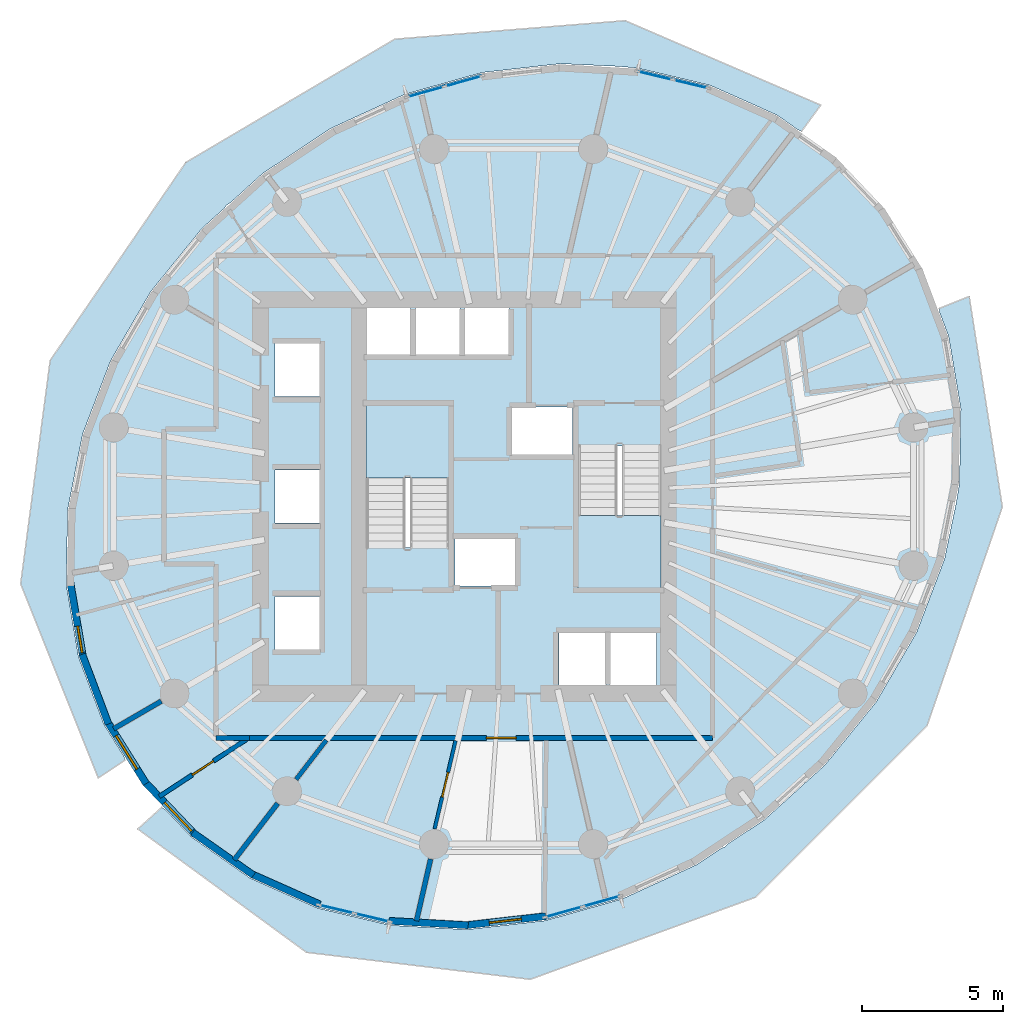
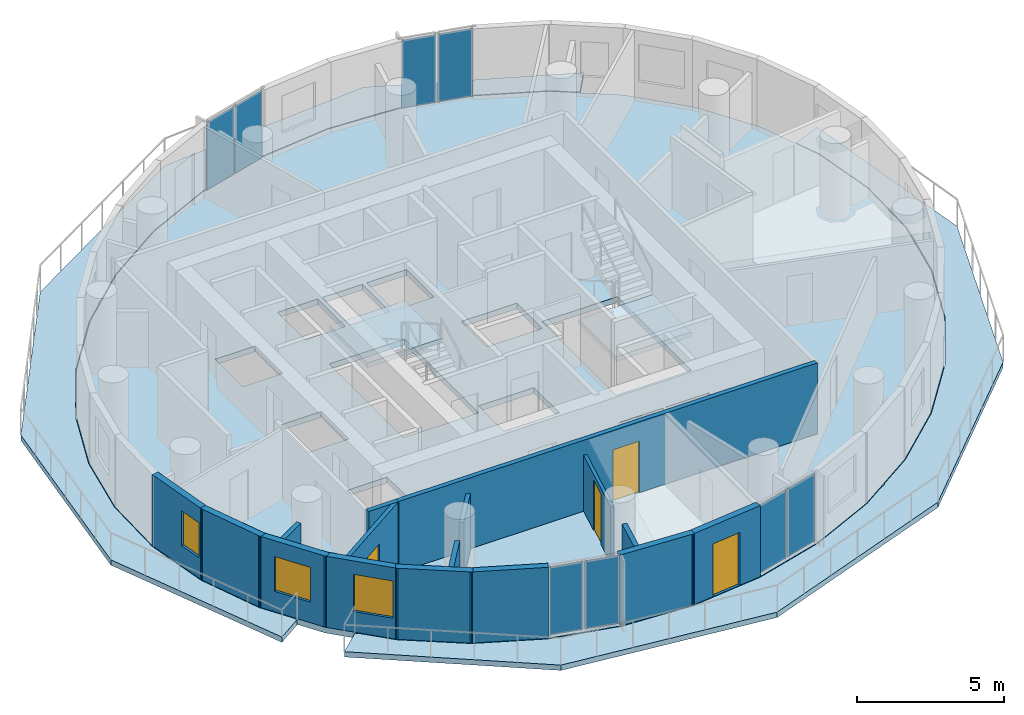
# One storey, part 4 of 13: 16 walls, 8 plates, 5 slabs, 4 doors, 3 windows, 7 openings, 6 elements without a shape of their own.
"""IFC4 building model written with IfcOpenShell, lengths in metres."""

from ifc_helpers import new_model, si_unit, direction, frame, frame_2d, origin, origin_2d, place, context, subcontext, project, spatial, polyline, rectangle, outline, extrude, material, layer, layer_set, type_object, element, fill, aggregate, save


model = new_model("IFC4")

# Units and contexts
model_context = context("Model", 3, precision=1e-05, world=origin(), true_north=direction((0.0, 1.0)))
body_context = subcontext(model_context, "Body", "Model", "MODEL_VIEW")
ifc_project = project(units=[si_unit("LENGTHUNIT", "METRE"), si_unit("AREAUNIT", "SQUARE_METRE"), si_unit("VOLUMEUNIT", "CUBIC_METRE"), si_unit("PLANEANGLEUNIT", "RADIAN"), si_unit("MASSUNIT", "GRAM", prefix="KILO")], contexts=[model_context])

# Site, building, storey
site_placement = place(None, origin())
site = spatial("IfcSite", under=ifc_project, at=site_placement, CompositionType="ELEMENT")
building_placement = place(site_placement, origin())
building = spatial("IfcBuilding", under=site, at=building_placement, Name="Veldorim Arch Residences", CompositionType="ELEMENT")
storey_placement = place(building_placement, frame((0.0, 0.0, 152.159912109375)))
storey = spatial("IfcBuildingStorey", under=building, at=storey_placement, Name="L45", CompositionType="ELEMENT", Elevation=152.159912109375)

# Slabs
ifc_material_1 = material(Name="Concrete C40/50", Category="concrete")
ifc_layer_1 = layer(ifc_material_1, 0.219970703125, Name="Planted Crescent Cantilever Balcony Slab 220")
ifc_layer_set_1 = layer_set([ifc_layer_1], Name="Concrete C40/50")
slab_type_1 = type_object("IfcSlabType", Name="Planted Crescent Cantilever Balcony Slab 220", PredefinedType="FLOOR", material=ifc_layer_set_1)
slab_1_placement = place(storey_placement, frame((0.0, 0.0, -0.219970703125)))
element("IfcSlab", 1, at=slab_1_placement, inside=storey, type_object=slab_type_1, Name="L45 planted crescent balcony slab A", PredefinedType="FLOOR", context=body_context, shape_type="SweptSolid", body=[
    extrude(outline(polyline([(42.118408203125, 37.03759765625), (41.368408203125, 37.564208984375), (38.986083984375, 38.62451171875), (36.3916015625, 39.240478515625), (35.6923828125, 39.2998046875), (33.663818359375, 39.393310546875), (30.885986328125, 39.078369140625), (28.1416015625, 38.305419921875), (25.514892578125, 37.097900390625), (23.085205078125, 35.492919921875), (21.927001953125, 34.444580078125), (21.797119140625, 34.365478515625), (21.720703125, 34.2578125), (20.92626953125, 33.53857421875), (19.103515625, 31.294677734375), (17.672607421875, 28.8291015625), (16.676513671875, 26.216552734375), (16.146240234375, 23.53662109375), (16.09765625, 20.870361328125), (16.5322265625, 18.299072265625), (17.43701171875, 15.90087890625), (18.141845703125, 14.775390625), (18.187744140625, 14.6328125), (17.22998046875, 13.996337890625), (14.472412109375, 20.894775390625), (15.5224609375, 28.845703125), (20.346923828125, 35.884521484375), (27.773193359375, 40.266357421875), (35.96728515625, 40.92431640625), (42.922607421875, 37.92138671875), (42.242431640625, 36.993896484375), (42.118408203125, 37.03759765625)])), origin(), (0.0, 0.0, 1.0), 0.219970703125),
])
slab_2_placement = place(storey_placement, frame((0.0, 0.0, -0.219970703125)))
element("IfcSlab", 2, at=slab_2_placement, inside=storey, type_object=slab_type_1, Name="L45 planted crescent balcony slab B", PredefinedType="FLOOR", context=body_context, shape_type="SweptSolid", body=[
    extrude(outline(polyline([(19.618896484375, 12.871337890625), (20.53369140625, 11.90869140625), (22.631591796875, 10.435791015625), (25.013916015625, 9.37548828125), (27.6083984375, 8.759521484375), (30.336181640625, 8.606689453125), (33.114013671875, 8.921630859375), (35.8583984375, 9.694580078125), (38.485107421875, 10.902099609375), (39.379150390625, 11.49267578125), (39.50244140625, 11.539794921875), (39.611328125, 11.64599609375), (40.914794921875, 12.507080078125), (43.07373046875, 14.46142578125), (44.896484375, 16.705322265625), (46.327392578125, 19.1708984375), (47.323486328125, 21.783447265625), (47.737548828125, 23.771484375), (47.853759765625, 24.46337890625), (47.90234375, 27.129638671875), (47.4677734375, 29.700927734375), (47.144287109375, 30.55810546875), (47.1328125, 30.689208984375), (48.2001953125, 31.1171875), (49.37939453125, 23.6337890625), (46.7041015625, 15.860595703125), (40.613037109375, 9.757568359375), (32.595703125, 6.835205078125), (24.63330078125, 7.79541015625), (18.637451171875, 12.181640625), (19.491943359375, 12.951416015625), (19.618896484375, 12.871337890625)])), origin(), (0.0, 0.0, 1.0), 0.219970703125),
])

# Stair, slab
ifc_material_2 = material(Name="Concrete C40/50", Category="concrete")
stair_type = type_object("IfcStairType", Name="Reinforced Concrete Dogleg Exit Staircase", PredefinedType="HALF_TURN_STAIR", material=ifc_material_2)
stair_1_placement = place(storey_placement, origin())
stair_1 = element("IfcStair", 3, at=stair_1_placement, inside=storey, type_object=stair_type, Name="L45 Exit Staircase ST-1", PredefinedType="HALF_TURN_STAIR")
ifc_material_3 = material(Name="Concrete C40/50", Category="concrete")
ifc_layer_2 = layer(ifc_material_3, 0.199951171875, Name="Reinforced Concrete Stair Landing 200")
ifc_layer_set_2 = layer_set([ifc_layer_2], Name="Concrete C40/50")
slab_type_2 = type_object("IfcSlabType", Name="Reinforced Concrete Stair Landing 200", PredefinedType="LANDING", material=ifc_layer_set_2)
slab_3_placement = place(storey_placement, frame((0.0, 0.0, 1.400146484375)))
slab_3 = element("IfcSlab", 4, at=slab_3_placement, type_object=slab_type_2, Name="ST-1 landing 1", PredefinedType="LANDING", context=body_context, shape_type="SweptSolid", body=[
    extrude(outline(polyline([(29.7099609375, 24.669921875), (29.7099609375, 27.25), (26.75, 27.25), (26.75, 24.669921875), (29.7099609375, 24.669921875)])), origin(), (0.0, 0.0, 1.0), 0.199951171875),
])
aggregate(stair_1, [slab_3])

stair_2_placement = place(storey_placement, origin())
stair_2 = element("IfcStair", 5, at=stair_2_placement, inside=storey, type_object=stair_type, Name="L45 Exit Staircase ST-2", PredefinedType="HALF_TURN_STAIR")
slab_4_placement = place(storey_placement, frame((0.0, 0.0, 1.400146484375)))
slab_4 = element("IfcSlab", 6, at=slab_4_placement, type_object=slab_type_2, Name="ST-2 landing 1", PredefinedType="LANDING", context=body_context, shape_type="SweptSolid", body=[
    extrude(outline(polyline([(34.2900390625, 23.330078125), (34.2900390625, 20.75), (37.25, 20.75), (37.25, 23.330078125), (34.2900390625, 23.330078125)])), origin(), (0.0, 0.0, 1.0), 0.199951171875),
])
aggregate(stair_2, [slab_4])

# Slab
ifc_material_4 = material(Name="Concrete C40/50", Category="concrete")
ifc_layer_3 = layer(ifc_material_4, 0.239990234375, Name="Typical Residential Floor Slab 240")
ifc_layer_set_3 = layer_set([ifc_layer_3], Name="Concrete C40/50")
slab_type_3 = type_object("IfcSlabType", Name="Typical Residential Floor Slab 240", PredefinedType="FLOOR", material=ifc_layer_set_3)
slab_5_placement = place(storey_placement, frame((0.0, 0.0, -0.239990234375)))
element("IfcSlab", 7, at=slab_5_placement, inside=storey, type_object=slab_type_3, Name="L45 tower structural floor slab", PredefinedType="FLOOR", context=body_context, shape_type="SweptSolid", body=[
    extrude(outline(polyline([(45.195556640625, 34.235595703125), (43.44970703125, 36.072265625), (41.35595703125, 37.542236328125), (38.97802734375, 38.600830078125), (36.387939453125, 39.215576171875), (33.66455078125, 39.3681640625), (30.890625, 39.0537109375), (28.150390625, 38.281982421875), (25.527099609375, 37.076171875), (23.1005859375, 35.47314453125), (20.9443359375, 33.521484375), (19.1240234375, 31.280517578125), (17.695068359375, 28.818115234375), (16.70068359375, 26.209716796875), (16.171142578125, 23.533935546875), (16.12255859375, 20.872314453125), (16.556396484375, 18.3056640625), (17.45947265625, 15.912109375), (18.804443359375, 13.764404296875), (20.55029296875, 11.927734375), (22.64404296875, 10.457763671875), (25.02197265625, 9.399169921875), (27.612060546875, 8.784423828125), (30.33544921875, 8.6318359375), (33.109375, 8.9462890625), (35.849609375, 9.718017578125), (38.472900390625, 10.923828125), (40.8994140625, 12.52685546875), (43.0556640625, 14.478515625), (44.8759765625, 16.719482421875), (46.304931640625, 19.181884765625), (47.29931640625, 21.790283203125), (47.828857421875, 24.466064453125), (47.87744140625, 27.127685546875), (47.443603515625, 29.6943359375), (46.54052734375, 32.087890625), (45.195556640625, 34.235595703125)]), holes=[polyline([(23.510009765625, 18.56005859375), (23.510009765625, 20.43994140625), (25.090087890625, 20.43994140625), (25.090087890625, 18.56005859375), (23.510009765625, 18.56005859375)]), polyline([(23.510009765625, 24.93994140625), (25.090087890625, 24.93994140625), (25.090087890625, 23.06005859375), (23.510009765625, 23.06005859375), (23.510009765625, 24.93994140625)]), polyline([(26.75, 27.25), (29.7099609375, 27.25), (29.7099609375, 22.195068359375), (26.75, 22.195068359375), (26.75, 27.25)]), polyline([(23.510009765625, 27.56005859375), (23.510009765625, 29.43994140625), (25.090087890625, 29.43994140625), (25.090087890625, 27.56005859375), (23.510009765625, 27.56005859375)]), polyline([(26.760009765625, 30.7900390625), (28.340087890625, 30.7900390625), (28.340087890625, 28.909912109375), (26.760009765625, 28.909912109375), (26.760009765625, 30.7900390625)]), polyline([(28.510009765625, 30.7900390625), (30.090087890625, 30.7900390625), (30.090087890625, 28.909912109375), (28.510009765625, 28.909912109375), (28.510009765625, 30.7900390625)]), polyline([(33.610107421875, 17.2099609375), (33.610107421875, 19.2900390625), (35.2900390625, 19.2900390625), (35.2900390625, 17.2099609375), (33.610107421875, 17.2099609375)]), polyline([(35.409912109375, 19.2900390625), (37.090087890625, 19.2900390625), (37.090087890625, 17.2099609375), (35.409912109375, 17.2099609375), (35.409912109375, 19.2900390625)]), polyline([(29.909912109375, 22.544921875), (32.090087890625, 22.544921875), (32.090087890625, 20.81494140625), (29.909912109375, 20.81494140625), (29.909912109375, 22.544921875)]), polyline([(34.2900390625, 20.75), (34.2900390625, 25.804931640625), (37.25, 25.804931640625), (37.25, 20.75), (34.2900390625, 20.75)]), polyline([(31.909912109375, 27.18505859375), (34.090087890625, 27.18505859375), (34.090087890625, 25.455078125), (31.909912109375, 25.455078125), (31.909912109375, 27.18505859375)]), polyline([(30.260009765625, 30.7900390625), (31.840087890625, 30.7900390625), (31.840087890625, 28.909912109375), (30.260009765625, 28.909912109375), (30.260009765625, 30.7900390625)])]), origin(), (0.0, 0.0, 1.0), 0.239990234375),
])

# Curtain wall, plates
ifc_material_5 = material(Name="Aluminium", Category="aluminium")
curtain_wall_type = type_object("IfcCurtainWallType", Name="Zone 3 High-Wind Unitised Curtain Wall", PredefinedType="NOTDEFINED", material=ifc_material_5)
curtain_wall_1_placement = place(storey_placement, origin())
curtain_wall_1 = element("IfcCurtainWall", 8, at=curtain_wall_1_placement, inside=storey, type_object=curtain_wall_type, Name="L45 unitised curtain wall bay 04", PredefinedType="NOTDEFINED")
ifc_material_6 = material(Name="Laminated Low-E Glass", Category="glass")
ifc_layer_4 = layer(ifc_material_6, 0.028076171875, Name="Zone 3 High-Wind Unitised Curtain Wall Glazing Panel 28")
ifc_layer_set_4 = layer_set([ifc_layer_4], Name="Laminated Low-E Glass")
plate_type = type_object("IfcPlateType", Name="Zone 3 High-Wind Unitised Curtain Wall Glazing Panel 28", PredefinedType="CURTAIN_PANEL", material=ifc_layer_set_4)
plate_1_placement = place(storey_placement, frame((37.03173828125, 38.97021484375, 0.06982421875), z_axis=(0.0, 0.0, 1.0), x_axis=(0.972963992002, -0.230956858022, 0.0)))
plate_1 = element("IfcPlate", 9, at=plate_1_placement, type_object=plate_type, Name="CW-Z3 panel 1.1", PredefinedType="CURTAIN_PANEL", context=body_context, shape_type="SweptSolid", body=[
    extrude(rectangle(XDim=1.22607421875, YDim=0.028076171875, at=origin_2d()), origin(), (0.0, 0.0, 1.0), 2.820068359375),
])
plate_2_placement = place(storey_placement, frame((38.292724609375, 38.6708984375, 0.06982421875), z_axis=(0.0, 0.0, 1.0), x_axis=(0.972963992002, -0.230956858022, 0.0)))
plate_2 = element("IfcPlate", 10, at=plate_2_placement, type_object=plate_type, Name="CW-Z3 panel 2.1", PredefinedType="CURTAIN_PANEL", context=body_context, shape_type="SweptSolid", body=[
    extrude(rectangle(XDim=1.22607421875, YDim=0.028076171875, at=origin_2d()), origin(), (0.0, 0.0, 1.0), 2.820068359375),
])
aggregate(curtain_wall_1, [plate_1, plate_2])

curtain_wall_2_placement = place(storey_placement, origin())
curtain_wall_2 = element("IfcCurtainWall", 11, at=curtain_wall_2_placement, inside=storey, type_object=curtain_wall_type, Name="L45 unitised curtain wall bay 07", PredefinedType="NOTDEFINED")
plate_3_placement = place(storey_placement, frame((28.876708984375, 38.39306640625, 0.06982421875), z_axis=(0.0, 0.0, 1.0), x_axis=(0.962551028545, 0.271100567037, 0.0)))
plate_3 = element("IfcPlate", 12, at=plate_3_placement, type_object=plate_type, Name="CW-Z3 panel 1.1", PredefinedType="CURTAIN_PANEL", context=body_context, shape_type="SweptSolid", body=[
    extrude(rectangle(XDim=1.318359375, YDim=0.028076171875, at=origin_2d()), origin(), (0.0, 0.0, 1.0), 2.820068359375),
])
plate_4_placement = place(storey_placement, frame((30.213134765625, 38.769287109375, 0.06982421875), z_axis=(0.0, 0.0, 1.0), x_axis=(0.962551028545, 0.271100567037, 0.0)))
plate_4 = element("IfcPlate", 13, at=plate_4_placement, type_object=plate_type, Name="CW-Z3 panel 2.1", PredefinedType="CURTAIN_PANEL", context=body_context, shape_type="SweptSolid", body=[
    extrude(rectangle(XDim=1.318359375, YDim=0.028076171875, at=origin_2d()), origin(), (0.0, 0.0, 1.0), 2.820068359375),
])
aggregate(curtain_wall_2, [plate_3, plate_4])

curtain_wall_3_placement = place(storey_placement, origin())
curtain_wall_3 = element("IfcCurtainWall", 14, at=curtain_wall_3_placement, inside=storey, type_object=curtain_wall_type, Name="L45 unitised curtain wall bay 22", PredefinedType="NOTDEFINED")
plate_5_placement = place(storey_placement, frame((26.96826171875, 9.02978515625, 0.06982421875), z_axis=(0.0, 0.0, 1.0), x_axis=(-0.972963992002, 0.230956858022, 0.0)))
plate_5 = element("IfcPlate", 15, at=plate_5_placement, type_object=plate_type, Name="CW-Z3 panel 1.1", PredefinedType="CURTAIN_PANEL", context=body_context, shape_type="SweptSolid", body=[
    extrude(rectangle(XDim=1.22607421875, YDim=0.028076171875, at=origin_2d()), origin(), (0.0, 0.0, 1.0), 2.820068359375),
])
plate_6_placement = place(storey_placement, frame((25.707275390625, 9.3291015625, 0.06982421875), z_axis=(0.0, 0.0, 1.0), x_axis=(-0.972963992002, 0.230956858022, 0.0)))
plate_6 = element("IfcPlate", 16, at=plate_6_placement, type_object=plate_type, Name="CW-Z3 panel 2.1", PredefinedType="CURTAIN_PANEL", context=body_context, shape_type="SweptSolid", body=[
    extrude(rectangle(XDim=1.22607421875, YDim=0.028076171875, at=origin_2d()), origin(), (0.0, 0.0, 1.0), 2.820068359375),
])
aggregate(curtain_wall_3, [plate_5, plate_6])

curtain_wall_4_placement = place(storey_placement, origin())
curtain_wall_4 = element("IfcCurtainWall", 17, at=curtain_wall_4_placement, inside=storey, type_object=curtain_wall_type, Name="L45 unitised curtain wall bay 25", PredefinedType="NOTDEFINED")
plate_7_placement = place(storey_placement, frame((35.123291015625, 9.60693359375, 0.06982421875), z_axis=(0.0, 0.0, 1.0), x_axis=(-0.962551028545, -0.271100567037, 0.0)))
plate_7 = element("IfcPlate", 18, at=plate_7_placement, type_object=plate_type, Name="CW-Z3 panel 1.1", PredefinedType="CURTAIN_PANEL", context=body_context, shape_type="SweptSolid", body=[
    extrude(rectangle(XDim=1.318359375, YDim=0.028076171875, at=origin_2d()), origin(), (0.0, 0.0, 1.0), 2.820068359375),
])
plate_8_placement = place(storey_placement, frame((33.786865234375, 9.230712890625, 0.06982421875), z_axis=(0.0, 0.0, 1.0), x_axis=(-0.962551028545, -0.271100567037, 0.0)))
plate_8 = element("IfcPlate", 19, at=plate_8_placement, type_object=plate_type, Name="CW-Z3 panel 2.1", PredefinedType="CURTAIN_PANEL", context=body_context, shape_type="SweptSolid", body=[
    extrude(rectangle(XDim=1.318359375, YDim=0.028076171875, at=origin_2d()), origin(), (0.0, 0.0, 1.0), 2.820068359375),
])
aggregate(curtain_wall_4, [plate_7, plate_8])

# Wall, opening, door
ifc_material_7 = material(Name="Acoustic Gypsum Board", Category="gypsum")
ifc_layer_5 = layer(ifc_material_7, 0.125, Name="Acoustic Stud Room Partition Wall 125")
ifc_layer_set_5 = layer_set([ifc_layer_5], Name="Acoustic Gypsum Board")
wall_type_1 = type_object("IfcWallType", Name="Acoustic Stud Room Partition Wall 125", PredefinedType="PARTITIONING", material=ifc_layer_set_5)
wall_1_placement = place(storey_placement, frame((29.195556640625, 12.18701171875, 0.0), z_axis=(0.0, 0.0, 1.0), x_axis=(0.230968453673, 0.972961239417, 0.0)))
wall_1 = element("IfcWall", 20, at=wall_1_placement, inside=storey, type_object=wall_type_1, Name="L45 interior wall WL-RES-L45-012", PredefinedType="PARTITIONING", context=body_context, shape_type="SweptSolid", body=[
    extrude(rectangle(XDim=3.222900390625, YDim=0.125, at=frame_2d((1.611328125, 0.0))), origin(), (0.0, 0.0, 1.0), 2.3359375),
])
opening_1_placement = place(wall_1_placement, frame((1.161376953125, 0.0, 0.0)))
opening_1 = element("IfcOpeningElement", 21, at=opening_1_placement, cuts=wall_1, Name="Opening DR-INT", PredefinedType="OPENING", context=body_context, shape_type="SweptSolid", body=[
    extrude(rectangle(XDim=0.89990234375, YDim=2.10009765625, at=frame_2d((0.449951171875, 1.050048828125))), frame((0.0, 0.072509765625, 0.0), z_axis=(0.0, -1.0, 0.0), x_axis=(1.0, 0.0, 0.0)), (0.0, 0.0, 1.0), 0.14501953125),
])
ifc_material_8 = material(Name="Engineered Timber", Category="wood")
door_type_1 = type_object("IfcDoorType", Name="Apartment Internal Room Timber Door 900x2100", OperationType="SINGLE_SWING_LEFT", PredefinedType="DOOR", material=ifc_material_8)
door_1_placement = place(opening_1_placement, origin())
door_1 = element("IfcDoor", 22, at=door_1_placement, inside=storey, type_object=door_type_1, Name="L45 interior door DR-RES-L45-003", OperationType="SINGLE_SWING_LEFT", OverallHeight=2.10009765625, OverallWidth=0.89990234375, PredefinedType="DOOR", context=body_context, shape_type="SweptSolid", body=[
    extrude(rectangle(XDim=0.89990234375, YDim=2.10009765625, at=frame_2d((0.449951171875, 1.050048828125))), frame((0.0, 0.02490234375, 0.0), z_axis=(0.0, -1.0, 0.0), x_axis=(1.0, 0.0, 0.0)), (0.0, 0.0, 1.0), 0.050048828125),
])
fill(opening_1, door_1)

# Walls
ifc_material_9 = material(Name="Lightweight Masonry Block & Gypsum", Category="masonry")
ifc_layer_6 = layer(ifc_material_9, 0.179931640625, Name="Compartment & Corridor Fire-Rated Party Wall 180")
ifc_layer_set_6 = layer_set([ifc_layer_6], Name="Lightweight Masonry Block & Gypsum")
wall_type_2 = type_object("IfcWallType", Name="Compartment & Corridor Fire-Rated Party Wall 180", PredefinedType="PARTITIONING", material=ifc_layer_set_6)
wall_2_placement = place(storey_placement, frame((19.472412109375, 16.72607421875, 0.0), z_axis=(0.0, 0.0, 1.0), x_axis=(-0.864794183852, -0.502126497584, 0.0)))
element("IfcWall", 23, at=wall_2_placement, inside=storey, type_object=wall_type_2, Name="L45 interior wall WL-PIER-L45-10", PredefinedType="PARTITIONING", context=body_context, shape_type="SweptSolid", body=[
    extrude(rectangle(XDim=1.958984375, YDim=0.179931640625, at=frame_2d((0.9794921875, 0.0))), origin(), (0.0, 0.0, 1.0), 2.3359375),
])
wall_3_placement = place(storey_placement, frame((23.612060546875, 13.091552734375, 0.0), z_axis=(0.0, 0.0, 1.0), x_axis=(-0.609529171404, -0.79276364019, 0.0)))
element("IfcWall", 24, at=wall_3_placement, inside=storey, type_object=wall_type_2, Name="L45 interior wall WL-PIER-L45-11", PredefinedType="PARTITIONING", context=body_context, shape_type="SweptSolid", body=[
    extrude(rectangle(XDim=2.5341796875, YDim=0.179931640625, at=frame_2d((1.26708984375, 0.0))), origin(), (0.0, 0.0, 1.0), 2.3359375),
])
wall_4_placement = place(storey_placement, frame((29.049560546875, 11.11083984375, 0.0), z_axis=(0.0, 0.0, 1.0), x_axis=(-0.223104026265, -0.974794641688, 0.0)))
element("IfcWall", 25, at=wall_4_placement, inside=storey, type_object=wall_type_2, Name="L45 interior wall WL-PIER-L45-12", PredefinedType="PARTITIONING", context=body_context, shape_type="SweptSolid", body=[
    extrude(rectangle(XDim=2.25537109375, YDim=0.179931640625, at=frame_2d((1.127685546875, 0.0))), origin(), (0.0, 0.0, 1.0), 2.3359375),
])

# Wall, opening, door
wall_5_placement = place(storey_placement, frame((39.080078125, 15.419921875, 0.0), z_axis=(0.0, 0.0, 1.0), x_axis=(-1.0, 0.0, 0.0)))
wall_5 = element("IfcWall", 26, at=wall_5_placement, inside=storey, type_object=wall_type_2, Name="L45 interior wall WL-RES-L45-001", PredefinedType="PARTITIONING", context=body_context, shape_type="SweptSolid", body=[
    extrude(rectangle(XDim=16.531005859375, YDim=0.179931640625, at=frame_2d((8.265625, 0.0))), origin(), (0.0, 0.0, 1.0), 2.955078125),
])
opening_2_placement = place(wall_5_placement, frame((6.993896484375, 0.0, 0.0)))
opening_2 = element("IfcOpeningElement", 27, at=opening_2_placement, cuts=wall_5, Name="Opening DR-FLT", PredefinedType="OPENING", context=body_context, shape_type="SweptSolid", body=[
    extrude(rectangle(XDim=1.050048828125, YDim=2.14990234375, at=frame_2d((0.52490234375, 1.074951171875))), frame((0.0, 0.099853515625, 0.0), z_axis=(0.0, -1.0, 0.0), x_axis=(1.0, 0.0, 0.0)), (0.0, 0.0, 1.0), 0.199951171875),
])
ifc_material_10 = material(Name="Fire-Rated Timber", Category="wood")
door_type_2 = type_object("IfcDoorType", Name="Apartment Entrance Solid-Core Fire Door 1050x2150", OperationType="SINGLE_SWING_LEFT", PredefinedType="DOOR", material=ifc_material_10)
door_2_placement = place(opening_2_placement, origin())
door_2 = element("IfcDoor", 28, at=door_2_placement, inside=storey, type_object=door_type_2, Name="L45 interior door DR-RES-L45-001", OperationType="SINGLE_SWING_LEFT", OverallHeight=2.14990234375, OverallWidth=1.050048828125, PredefinedType="DOOR", context=body_context, shape_type="SweptSolid", body=[
    extrude(rectangle(XDim=1.050048828125, YDim=2.14990234375, at=frame_2d((0.52490234375, 1.074951171875))), frame((0.0, 0.02490234375, 0.0), z_axis=(0.0, -1.0, 0.0), x_axis=(1.0, 0.0, 0.0)), (0.0, 0.0, 1.0), 0.050048828125),
])
fill(opening_2, door_2)

# Wall
wall_6_placement = place(storey_placement, frame((22.605712890625, 15.419921875, 0.0), z_axis=(0.0, 0.0, 1.0), x_axis=(-1.0, 0.0, 0.0)))
element("IfcWall", 29, at=wall_6_placement, inside=storey, type_object=wall_type_2, Name="L45 interior wall WL-RES-L45-006", PredefinedType="PARTITIONING", context=body_context, shape_type="SweptSolid", body=[
    extrude(rectangle(XDim=1.185791015625, YDim=0.179931640625, at=frame_2d((0.5927734375, 0.0))), origin(), (0.0, 0.0, 1.0), 2.955078125),
])

# Wall, opening, window
ifc_material_11 = material(Name="Precast concrete C40/50", Category="concrete")
ifc_layer_7 = layer(ifc_material_11, 0.25, Name="Tower Terracotta Spandrel & Pier Wall 250")
ifc_layer_set_7 = layer_set([ifc_layer_7], Name="Precast concrete C40/50")
wall_type_3 = type_object("IfcWallType", Name="Tower Terracotta Spandrel & Pier Wall 250", PredefinedType="SOLIDWALL", material=ifc_layer_set_7)
wall_7_placement = place(storey_placement, frame((16.687255859375, 18.2822265625, 0.0), z_axis=(0.0, 0.0, 1.0), x_axis=(-0.166721354457, 0.9860040517, 0.0)))
wall_7 = element("IfcWall", 30, at=wall_7_placement, inside=storey, type_object=wall_type_3, Name="L45 terracotta facade wall 16", PredefinedType="SOLIDWALL", context=body_context, shape_type="SweptSolid", body=[
    extrude(rectangle(XDim=2.69287109375, YDim=0.25, at=frame_2d((1.346435546875, 0.0))), origin(), (0.0, 0.0, 1.0), 2.960205078125),
])
opening_3_placement = place(wall_7_placement, frame((0.175048828125, 0.0, 0.85009765625)))
opening_3 = element("IfcOpeningElement", 31, at=opening_3_placement, cuts=wall_7, Name="Opening WN-05", PredefinedType="OPENING", context=body_context, shape_type="SweptSolid", body=[
    extrude(rectangle(XDim=0.949951171875, YDim=1.449951171875, at=frame_2d((0.47509765625, 0.72509765625))), frame((0.0, 0.135009765625, 0.0), z_axis=(0.0, -1.0, 0.0), x_axis=(1.0, 0.0, 0.0)), (0.0, 0.0, 1.0), 0.27001953125),
])
ifc_material_12 = material(Name="Laminated Low-E Glass", Category="glass")
window_type_1 = type_object("IfcWindowType", Name="Residential Compact Casement Window 950x1450", PartitioningType="SINGLE_PANEL", PredefinedType="WINDOW", material=ifc_material_12)
window_1_placement = place(opening_3_placement, origin())
window_1 = element("IfcWindow", 32, at=window_1_placement, inside=storey, type_object=window_type_1, Name="L45 solar-control facade window 16", OverallHeight=1.449951171875, OverallWidth=0.949951171875, PartitioningType="SINGLE_PANEL", PredefinedType="WINDOW", context=body_context, shape_type="SweptSolid", body=[
    extrude(rectangle(XDim=0.949951171875, YDim=1.449951171875, at=frame_2d((0.47509765625, 0.72509765625))), frame((0.0, 0.030029296875, 0.0), z_axis=(0.0, -1.0, 0.0), x_axis=(1.0, 0.0, 0.0)), (0.0, 0.0, 1.0), 0.06005859375),
])
fill(opening_3, window_1)

# Wall
wall_8_placement = place(storey_placement, frame((17.59228515625, 15.914306640625, 0.0), z_axis=(0.0, 0.0, 1.0), x_axis=(-0.353022229402, 0.93561493444, 0.0)))
element("IfcWall", 33, at=wall_8_placement, inside=storey, type_object=wall_type_3, Name="L45 terracotta facade wall 17", PredefinedType="SOLIDWALL", context=body_context, shape_type="SweptSolid", body=[
    extrude(rectangle(XDim=2.64794921875, YDim=0.25, at=frame_2d((1.323974609375, 0.0))), origin(), (0.0, 0.0, 1.0), 2.960205078125),
])

# Wall, opening, window
wall_9_placement = place(storey_placement, frame((18.93408203125, 13.792724609375, 0.0), z_axis=(0.0, 0.0, 1.0), x_axis=(-0.530726374543, 0.847543223302, 0.0)))
wall_9 = element("IfcWall", 34, at=wall_9_placement, inside=storey, type_object=wall_type_3, Name="L45 terracotta facade wall 18", PredefinedType="SOLIDWALL", context=body_context, shape_type="SweptSolid", body=[
    extrude(rectangle(XDim=2.6240234375, YDim=0.25, at=frame_2d((1.31201171875, 0.0))), origin(), (0.0, 0.0, 1.0), 2.960205078125),
])
opening_4_placement = place(wall_9_placement, frame((0.612060546875, 0.0, 0.85009765625)))
opening_4 = element("IfcOpeningElement", 35, at=opening_4_placement, cuts=wall_9, Name="Opening WN-02", PredefinedType="OPENING", context=body_context, shape_type="SweptSolid", body=[
    extrude(rectangle(XDim=1.39990234375, YDim=1.449951171875, at=frame_2d((0.699951171875, 0.72509765625))), frame((0.0, 0.135009765625, 0.0), z_axis=(0.0, -1.0, 0.0), x_axis=(1.0, 0.0, 0.0)), (0.0, 0.0, 1.0), 0.27001953125),
])
ifc_material_13 = material(Name="Laminated Low-E Glass", Category="glass")
window_type_2 = type_object("IfcWindowType", Name="Residential Casement Window 1400x1550", PartitioningType="SINGLE_PANEL", PredefinedType="WINDOW", material=ifc_material_13)
window_2_placement = place(opening_4_placement, origin())
window_2 = element("IfcWindow", 36, at=window_2_placement, inside=storey, type_object=window_type_2, Name="L45 solar-control facade window 18", OverallHeight=1.449951171875, OverallWidth=1.39990234375, PartitioningType="SINGLE_PANEL", PredefinedType="WINDOW", context=body_context, shape_type="SweptSolid", body=[
    extrude(rectangle(XDim=1.39990234375, YDim=1.449951171875, at=frame_2d((0.699951171875, 0.72509765625))), frame((0.0, 0.030029296875, 0.0), z_axis=(0.0, -1.0, 0.0), x_axis=(1.0, 0.0, 0.0)), (0.0, 0.0, 1.0), 0.06005859375),
])
fill(opening_4, window_2)

wall_10_placement = place(storey_placement, frame((20.671875, 11.981201171875, 0.0), z_axis=(0.0, 0.0, 1.0), x_axis=(-0.688923042016, 0.724834492957, 0.0)))
wall_10 = element("IfcWall", 37, at=wall_10_placement, inside=storey, type_object=wall_type_3, Name="L45 terracotta facade wall 19", PredefinedType="SOLIDWALL", context=body_context, shape_type="SweptSolid", body=[
    extrude(rectangle(XDim=2.624267578125, YDim=0.25, at=frame_2d((1.31201171875, 0.0))), origin(), (0.0, 0.0, 1.0), 2.960205078125),
])
opening_5_placement = place(wall_10_placement, frame((0.175048828125, 0.0, 0.85009765625)))
opening_5 = element("IfcOpeningElement", 38, at=opening_5_placement, cuts=wall_10, Name="Opening WN-02", PredefinedType="OPENING", context=body_context, shape_type="SweptSolid", body=[
    extrude(rectangle(XDim=1.39990234375, YDim=1.550048828125, at=frame_2d((0.699951171875, 0.77490234375))), frame((0.0, 0.135009765625, 0.0), z_axis=(0.0, -1.0, 0.0), x_axis=(1.0, 0.0, 0.0)), (0.0, 0.0, 1.0), 0.27001953125),
])
window_3_placement = place(opening_5_placement, origin())
window_3 = element("IfcWindow", 39, at=window_3_placement, inside=storey, type_object=window_type_2, Name="L45 solar-control facade window 19", OverallHeight=1.550048828125, OverallWidth=1.39990234375, PartitioningType="SINGLE_PANEL", PredefinedType="WINDOW", context=body_context, shape_type="SweptSolid", body=[
    extrude(rectangle(XDim=1.39990234375, YDim=1.550048828125, at=frame_2d((0.699951171875, 0.77490234375))), frame((0.0, 0.030029296875, 0.0), z_axis=(0.0, -1.0, 0.0), x_axis=(1.0, 0.0, 0.0)), (0.0, 0.0, 1.0), 0.06005859375),
])
fill(opening_5, window_3)

# Walls
wall_11_placement = place(storey_placement, frame((22.752685546875, 10.5341796875, 0.0), z_axis=(0.0, 0.0, 1.0), x_axis=(-0.818434239786, 0.574600204617, 0.0)))
element("IfcWall", 40, at=wall_11_placement, inside=storey, type_object=wall_type_3, Name="L45 terracotta facade wall 20", PredefinedType="SOLIDWALL", context=body_context, shape_type="SweptSolid", body=[
    extrude(rectangle(XDim=2.6484375, YDim=0.25, at=frame_2d((1.32421875, 0.0))), origin(), (0.0, 0.0, 1.0), 2.960205078125),
])
wall_12_placement = place(storey_placement, frame((25.114013671875, 9.4951171875, 0.0), z_axis=(0.0, 0.0, 1.0), x_axis=(-0.913598321014, 0.406617889228, 0.0)))
element("IfcWall", 41, at=wall_12_placement, inside=storey, type_object=wall_type_3, Name="L45 terracotta facade wall 21", PredefinedType="SOLIDWALL", context=body_context, shape_type="SweptSolid", body=[
    extrude(rectangle(XDim=2.69287109375, YDim=0.25, at=frame_2d((1.346435546875, 0.0))), origin(), (0.0, 0.0, 1.0), 2.960205078125),
])
wall_13_placement = place(storey_placement, frame((30.38720703125, 8.754150390625, 0.0), z_axis=(0.0, 0.0, 1.0), x_axis=(-0.998436800423, 0.055892356906, 0.0)))
element("IfcWall", 42, at=wall_13_placement, inside=storey, type_object=wall_type_3, Name="L45 terracotta facade wall 23", PredefinedType="SOLIDWALL", context=body_context, shape_type="SweptSolid", body=[
    extrude(rectangle(XDim=2.8173828125, YDim=0.25, at=frame_2d((1.40869140625, 0.0))), origin(), (0.0, 0.0, 1.0), 2.960205078125),
])

# Wall, opening, door
wall_14_placement = place(storey_placement, frame((33.139892578125, 9.07568359375, 0.0), z_axis=(0.0, 0.0, 1.0), x_axis=(-0.993631150985, -0.112681568111, 0.0)))
wall_14 = element("IfcWall", 43, at=wall_14_placement, inside=storey, type_object=wall_type_3, Name="L45 terracotta facade wall 24", PredefinedType="SOLIDWALL", context=body_context, shape_type="SweptSolid", body=[
    extrude(rectangle(XDim=2.881591796875, YDim=0.25, at=frame_2d((1.44091796875, 0.0))), origin(), (0.0, 0.0, 1.0), 2.960205078125),
])
opening_6_placement = place(wall_14_placement, frame((0.865966796875, 0.0, 0.0)))
opening_6 = element("IfcOpeningElement", 44, at=opening_6_placement, cuts=wall_14, Name="Opening BL-DR", PredefinedType="OPENING", context=body_context, shape_type="SweptSolid", body=[
    extrude(rectangle(XDim=1.14990234375, YDim=2.199951171875, at=frame_2d((0.574951171875, 1.10009765625))), frame((0.0, 0.135009765625, 0.0), z_axis=(0.0, -1.0, 0.0), x_axis=(1.0, 0.0, 0.0)), (0.0, 0.0, 1.0), 0.27001953125),
])
ifc_material_14 = material(Name="Aluminium & Low-E Glass", Category="aluminium")
door_type_3 = type_object("IfcDoorType", Name="Glazed Planted Balcony Door 1150x2200", OperationType="SINGLE_SWING_LEFT", PredefinedType="DOOR", material=ifc_material_14)
door_3_placement = place(opening_6_placement, origin())
door_3 = element("IfcDoor", 45, at=door_3_placement, inside=storey, type_object=door_type_3, Name="L45 glazed outdoor terrace door BALC-2", OperationType="SINGLE_SWING_RIGHT", OverallHeight=2.199951171875, OverallWidth=1.14990234375, PredefinedType="DOOR", context=body_context, shape_type="SweptSolid", body=[
    extrude(rectangle(XDim=1.14990234375, YDim=2.199951171875, at=frame_2d((0.574951171875, 1.10009765625))), frame((0.0, 0.02490234375, 0.0), z_axis=(0.0, -1.0, 0.0), x_axis=(1.0, 0.0, 0.0)), (0.0, 0.0, 1.0), 0.050048828125),
])
fill(opening_6, door_3)

# Wall
ifc_material_15 = material(Name="Moisture-Resistant Gypsum & Stud", Category="gypsum")
ifc_layer_8 = layer(ifc_material_15, 0.159912109375, Name="Wet-Area Moisture-Resistant Plumbing Wall 160")
ifc_layer_set_8 = layer_set([ifc_layer_8], Name="Moisture-Resistant Gypsum & Stud")
wall_type_4 = type_object("IfcWallType", Name="Wet-Area Moisture-Resistant Plumbing Wall 160", PredefinedType="PLUMBINGWALL", material=ifc_layer_set_8)
wall_15_placement = place(storey_placement, frame((24.267822265625, 13.9443359375, 0.0), z_axis=(0.0, 0.0, 1.0), x_axis=(0.609536601946, 0.792757927042, 0.0)))
element("IfcWall", 46, at=wall_15_placement, inside=storey, type_object=wall_type_4, Name="L45 interior wall WL-RES-L45-014", PredefinedType="PLUMBINGWALL", context=body_context, shape_type="SweptSolid", body=[
    extrude(rectangle(XDim=1.761474609375, YDim=0.159912109375, at=frame_2d((0.880859375, 0.0))), origin(), (0.0, 0.0, 1.0), 2.3359375),
])

# Wall, opening, door
wall_16_placement = place(storey_placement, frame((22.501953125, 15.365234375, 0.0), z_axis=(0.0, 0.0, 1.0), x_axis=(-0.836626802071, -0.547773305352, 0.0)))
wall_16 = element("IfcWall", 47, at=wall_16_placement, inside=storey, type_object=wall_type_4, Name="L45 interior wall WL-RES-L45-028", PredefinedType="PLUMBINGWALL", context=body_context, shape_type="SweptSolid", body=[
    extrude(rectangle(XDim=3.702880859375, YDim=0.159912109375, at=frame_2d((1.8515625, 0.0))), origin(), (0.0, 0.0, 1.0), 2.955078125),
])
opening_7_placement = place(wall_16_placement, frame((1.4013671875, 0.0, 0.0)))
opening_7 = element("IfcOpeningElement", 48, at=opening_7_placement, cuts=wall_16, Name="Opening DR-WC", PredefinedType="OPENING", context=body_context, shape_type="SweptSolid", body=[
    extrude(rectangle(XDim=0.89990234375, YDim=2.10009765625, at=frame_2d((0.449951171875, 1.050048828125))), frame((0.0, 0.08984375, 0.0), z_axis=(0.0, -1.0, 0.0), x_axis=(1.0, 0.0, 0.0)), (0.0, 0.0, 1.0), 0.179931640625),
])
ifc_material_16 = material(Name="Laminate Timber", Category="wood")
door_type_4 = type_object("IfcDoorType", Name="Bathroom & Accessible WC Moisture-Sealed Door 900x2100", OperationType="SINGLE_SWING_LEFT", PredefinedType="DOOR", material=ifc_material_16)
door_4_placement = place(opening_7_placement, origin())
door_4 = element("IfcDoor", 49, at=door_4_placement, inside=storey, type_object=door_type_4, Name="L45 interior door DR-RES-L45-016", OperationType="SINGLE_SWING_RIGHT", OverallHeight=2.10009765625, OverallWidth=0.89990234375, PredefinedType="DOOR", context=body_context, shape_type="SweptSolid", body=[
    extrude(rectangle(XDim=0.89990234375, YDim=2.10009765625, at=frame_2d((0.449951171875, 1.050048828125))), frame((0.0, 0.02490234375, 0.0), z_axis=(0.0, -1.0, 0.0), x_axis=(1.0, 0.0, 0.0)), (0.0, 0.0, 1.0), 0.050048828125),
])
fill(opening_7, door_4)

save(model, "model.ifc")
